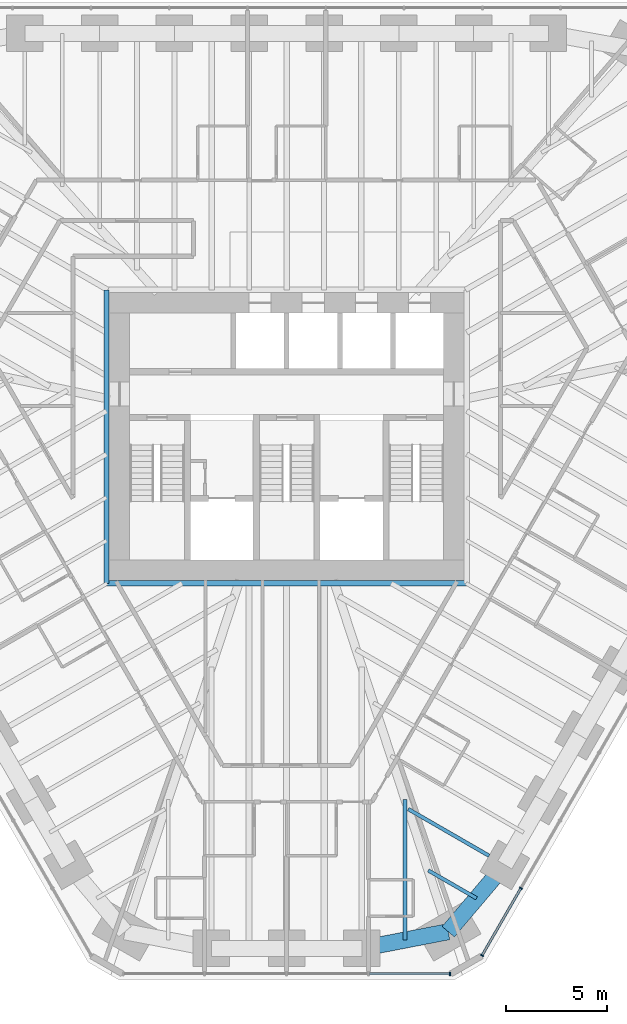
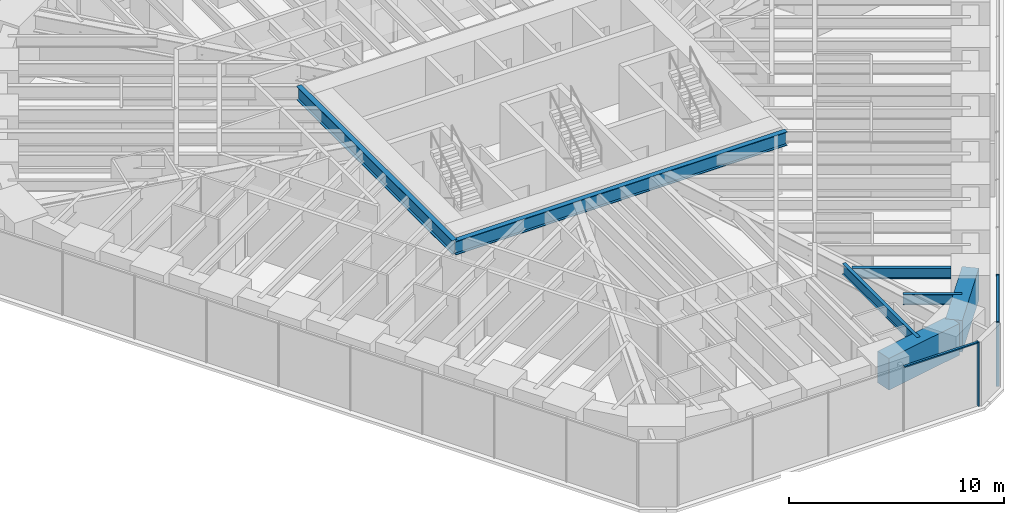
# One storey, part 4 of 16: 7 beams, 5 members, 2 elements without a shape of their own.
"""IFC4 building model written with IfcOpenShell, lengths in metres."""

import ifcopenshell
import ifcopenshell.guid

model = None  # the IFC model being written
_history = None  # IfcOwnerHistory: only IFC2X3 demands one
_inside = {}  # id of a spatial element -> (the spatial element, [elements in it])
_under = {}  # id of a project, library or spatial element -> (it, [spatial elements below it])
_declared = {}  # id of a project -> (the project, [libraries it declares])
_typed = {}  # id of a type object -> (the type object, [elements of that type])
_made_of = {}  # id of a material, layer set ... -> (it, [elements and type objects made of it])


def new_model(schema):
    """Start an empty IFC model of exactly this schema.

    Asked for "IFC4X3", IfcOpenShell would pick the latest addendum, in which some entities
    have other attributes; the version numbers below select the first issue.
    IFC2X3 requires an IfcOwnerHistory on every rooted entity: one is made here for all.
    """
    global model, _history
    if schema == "IFC4X3":
        model = ifcopenshell.file(schema_version=(4, 3, 0, 0))
    else:
        model = ifcopenshell.file(schema=schema)
    _inside.clear()
    _under.clear()
    _declared.clear()
    _typed.clear()
    _made_of.clear()
    _history = None
    if model.schema == "IFC2X3":
        org = make("IfcOrganization", Name="unknown")
        user = make(
            "IfcPersonAndOrganization",
            ThePerson=make("IfcPerson", FamilyName="unknown"),
            TheOrganization=org,
        )
        app = make(
            "IfcApplication",
            ApplicationDeveloper=org,
            Version="unknown",
            ApplicationFullName="unknown",
            ApplicationIdentifier="unknown",
        )
        _history = make(
            "IfcOwnerHistory",
            OwningUser=user,
            OwningApplication=app,
            ChangeAction="ADDED",
            CreationDate=0,
        )
    return model


def make(cls, **values):
    """One entity of the class cls with the attributes given. An attribute that is None is left unset."""
    return model.create_entity(
        cls, **{name: value for name, value in values.items() if value is not None}
    )


def rooted(cls, **values):
    """An entity with a GlobalId (a new one), such as an element, a storey or a relation."""
    return make(cls, GlobalId=ifcopenshell.guid.new(), OwnerHistory=_history, **values)


def si_unit(unit_type, name, prefix=None):
    """IfcSIUnit, for example si_unit("LENGTHUNIT", "METRE", prefix="MILLI")."""
    return make("IfcSIUnit", UnitType=unit_type, Prefix=prefix, Name=name)


def assignment(units):
    """IfcUnitAssignment: the units of a project."""
    return None if units is None else make("IfcUnitAssignment", Units=units)


def point(xyz):
    """IfcCartesianPoint."""
    return None if xyz is None else make("IfcCartesianPoint", Coordinates=xyz)


def direction(xyz):
    """IfcDirection."""
    return None if xyz is None else make("IfcDirection", DirectionRatios=xyz)


def frame(location, z_axis=None, x_axis=None):
    """IfcAxis2Placement3D, a coordinate frame: its origin and axes. An axis left out is left unset."""
    return make(
        "IfcAxis2Placement3D",
        Location=point(location),
        Axis=direction(z_axis),
        RefDirection=direction(x_axis),
    )


def frame_2d(location, x_axis=None):
    """IfcAxis2Placement2D, a coordinate frame in the plane: its origin and x axis."""
    return make(
        "IfcAxis2Placement2D", Location=point(location), RefDirection=direction(x_axis)
    )


def origin():
    """The frame at (0, 0, 0) with its axes left unset."""
    return frame((0.0, 0.0, 0.0))


def origin_2d():
    """The frame at (0, 0) in the plane with its x axis left unset."""
    return frame_2d((0.0, 0.0))


def place(relative_to, where):
    """IfcLocalPlacement: puts the frame where relative to a parent placement (None: the world)."""
    return make(
        "IfcLocalPlacement", PlacementRelTo=relative_to, RelativePlacement=where
    )


def context(
    kind, dimensions, precision=None, world=None, true_north=None, identifier=None
):
    """IfcGeometricRepresentationContext, for example the 3D "Model" context."""
    return make(
        "IfcGeometricRepresentationContext",
        ContextIdentifier=identifier,
        ContextType=kind,
        CoordinateSpaceDimension=dimensions,
        Precision=precision,
        WorldCoordinateSystem=world,
        TrueNorth=true_north,
    )


def subcontext(parent, identifier, kind, view, scale=None):
    """IfcGeometricRepresentationSubContext, for example "Body" below "Model"."""
    return make(
        "IfcGeometricRepresentationSubContext",
        ContextIdentifier=identifier,
        ContextType=kind,
        ParentContext=parent,
        TargetScale=scale,
        TargetView=view,
    )


def project(units=None, contexts=None):
    """IfcProject with its units and contexts."""
    return rooted(
        "IfcProject",
        Name="project",
        RepresentationContexts=contexts,
        UnitsInContext=assignment(units),
    )


def spatial(cls, under=None, at=None, **own):
    """A site, building, storey or space (cls), placed at a placement, below another one or the project."""
    s = rooted(cls, ObjectPlacement=at, **own)
    if under is not None:
        _under.setdefault(under.id(), (under, []))[1].append(s)
    return s


def profile(cls, at=None, kind="AREA", **sizes):
    """A parametric profile (cls). Its sizes go by their IFC names, for example OverallWidth=200.0."""
    return make(cls, ProfileType=kind, Position=at, **sizes)


def rectangle(**sizes):
    """IfcRectangleProfileDef."""
    return profile("IfcRectangleProfileDef", **sizes)


def i_section(**sizes):
    """IfcIShapeProfileDef."""
    return profile("IfcIShapeProfileDef", **sizes)


def extrude(swept, where, along, depth):
    """IfcExtrudedAreaSolid: the profile swept, set in the frame where, extruded along a direction by depth."""
    return make(
        "IfcExtrudedAreaSolid",
        SweptArea=swept,
        Position=where,
        ExtrudedDirection=direction(along),
        Depth=depth,
    )


def shape(context_of_items, identifier, shape_type, items):
    """IfcShapeRepresentation: the items that make up one representation, for example the "Body"."""
    return make(
        "IfcShapeRepresentation",
        ContextOfItems=context_of_items,
        RepresentationIdentifier=identifier,
        RepresentationType=shape_type,
        Items=items,
    )


def material(Name=None, Category=None):
    """IfcMaterial."""
    return make("IfcMaterial", Name=Name, Category=Category)


def material_profile(
    of_material, cross_section, Name=None, Category=None, Priority=None
):
    """IfcMaterialProfile: a cross section and its material."""
    return make(
        "IfcMaterialProfile",
        Name=Name,
        Material=of_material,
        Profile=cross_section,
        Priority=Priority,
        Category=Category,
    )


def profile_set(profiles, Name=None, composite=None):
    """IfcMaterialProfileSet."""
    return make(
        "IfcMaterialProfileSet",
        Name=Name,
        MaterialProfiles=profiles,
        CompositeProfile=composite,
    )


def made_of(thing, what):
    """Note that an element or type object is made of a material, layer set ...; save() writes the relation."""
    if what is not None:
        _made_of.setdefault(what.id(), (what, []))[1].append(thing)
    return thing


def type_object(cls, material=None, **own):
    """A type object (cls), such as IfcWallType, which elements share."""
    return made_of(rooted(cls, **own), material)


def element(
    cls,
    number,
    at=None,
    inside=None,
    cuts=None,
    type_object=None,
    material=None,
    context=None,
    identifier="Body",
    shape_type=None,
    held_by="IfcProductDefinitionShape",
    body=None,
    shapes=None,
    **own,
):
    """One element of the class cls, such as IfcWall. Its Tag is "e" and its number.

    at: its placement. inside: the storey or other place that contains it. cuts: it is an
    opening in that element (IfcRelVoidsElement). A single representation is given by context,
    identifier, shape_type and body (its items); several are given by shapes. held_by: the class
    of the entity that holds the representations. save() writes the other relations.
    """
    e = rooted(cls, Tag="e%d" % number, ObjectPlacement=at, **own)
    if body is not None:
        shapes = [shape(context, identifier, shape_type, body)]
    if shapes is not None:
        e.Representation = make(held_by, Representations=shapes)
    if inside is not None:
        _inside.setdefault(inside.id(), (inside, []))[1].append(e)
    if cuts is not None:
        rooted(
            "IfcRelVoidsElement", RelatingBuildingElement=cuts, RelatedOpeningElement=e
        )
    if type_object is not None:
        _typed.setdefault(type_object.id(), (type_object, []))[1].append(e)
    return made_of(e, material)


def aggregate(whole, parts):
    """IfcRelAggregates: a whole, such as a stair, and the parts it consists of."""
    return rooted("IfcRelAggregates", RelatingObject=whole, RelatedObjects=parts)


def save(model, path):
    """Write the relations noted so far, then the file.

    IfcRelAggregates (storeys below a building ...), IfcRelContainedInSpatialStructure (elements
    in a storey), IfcRelDefinesByType, IfcRelAssociatesMaterial and IfcRelDeclares: one each for
    every whole, place, type object, material and project.
    """
    for whole, parts in _under.values():
        aggregate(whole, parts)
    for where, things in _inside.values():
        rooted(
            "IfcRelContainedInSpatialStructure",
            RelatedElements=things,
            RelatingStructure=where,
        )
    for kind, things in _typed.values():
        rooted("IfcRelDefinesByType", RelatedObjects=things, RelatingType=kind)
    for what, things in _made_of.values():
        rooted("IfcRelAssociatesMaterial", RelatedObjects=things, RelatingMaterial=what)
    for by, libraries in _declared.values():
        rooted("IfcRelDeclares", RelatingContext=by, RelatedDefinitions=libraries)
    model.write(path)


model = new_model("IFC4")

# Units and contexts
model_context = context("Model", 3, precision=1e-05, world=origin(), true_north=direction((0.0, 1.0)))
body_context = subcontext(model_context, "Body", "Model", "MODEL_VIEW")
ifc_project = project(units=[si_unit("LENGTHUNIT", "METRE"), si_unit("AREAUNIT", "SQUARE_METRE"), si_unit("VOLUMEUNIT", "CUBIC_METRE"), si_unit("PLANEANGLEUNIT", "RADIAN"), si_unit("MASSUNIT", "GRAM", prefix="KILO")], contexts=[model_context])

# Site, building, storey
site_placement = place(None, origin())
site = spatial("IfcSite", under=ifc_project, at=site_placement, CompositionType="ELEMENT")
building_placement = place(site_placement, origin())
building = spatial("IfcBuilding", under=site, at=building_placement, Name="Sandreach Pilgrim Tower", CompositionType="ELEMENT")
storey_placement = place(building_placement, frame((0.0, 0.0, 183.199951171875)))
storey = spatial("IfcBuildingStorey", under=building, at=storey_placement, Name="L45", CompositionType="ELEMENT", Elevation=183.199951171875)

# Curtain wall, members
ifc_material_1 = material(Name="Aluminium framed curtain wall", Category="aluminium")
curtain_wall_type = type_object("IfcCurtainWallType", Name="Upper hotel tower curtain wall", PredefinedType="NOTDEFINED", material=ifc_material_1)
curtain_wall_1_placement = place(storey_placement, origin())
curtain_wall_1 = element("IfcCurtainWall", 1, at=curtain_wall_1_placement, inside=storey, type_object=curtain_wall_type, Name="CW-3 L45 SE", PredefinedType="NOTDEFINED")
ifc_material_2 = material(Name="Aluminium extrusion", Category="aluminium")
ifc_material_profile_1 = material_profile(ifc_material_2, rectangle(XDim=0.06494140625, YDim=0.159912109375, at=origin_2d()), Name="CW-3M 65X160")
ifc_profile_set_1 = profile_set([ifc_material_profile_1], Name="Aluminium extrusion")
member_type_1 = type_object("IfcMemberType", Name="CW-3 mullion", PredefinedType="MULLION", material=ifc_profile_set_1)
member_1_placement = place(storey_placement, frame((11.5625, -22.29345703125, 0.0), z_axis=(0.0, 0.0, 1.0), x_axis=(-0.5, -0.866025403784, 0.0)))
member_1 = element("IfcMember", 2, at=member_1_placement, type_object=member_type_1, Name="CW-3 mullion 9", PredefinedType="MULLION", context=body_context, shape_type="SweptSolid", body=[
    extrude(rectangle(XDim=0.06494140625, YDim=0.159912109375, at=origin_2d()), origin(), (0.0, 0.0, 1.0), 3.64013671875),
])
member_2_placement = place(storey_placement, frame((9.646484375, -25.612060546875, 0.0), z_axis=(0.0, 0.0, 1.0), x_axis=(-0.5, -0.866025403784, 0.0)))
member_2 = element("IfcMember", 3, at=member_2_placement, type_object=member_type_1, Name="CW-3 mullion 10", PredefinedType="MULLION", context=body_context, shape_type="SweptSolid", body=[
    extrude(rectangle(XDim=0.06494140625, YDim=0.159912109375, at=origin_2d()), origin(), (0.0, 0.0, 1.0), 3.64013671875),
])

# Curtain wall, member
curtain_wall_2_placement = place(storey_placement, origin())
curtain_wall_2 = element("IfcCurtainWall", 4, at=curtain_wall_2_placement, inside=storey, type_object=curtain_wall_type, Name="CW-3 L45 S", PredefinedType="NOTDEFINED")
member_3_placement = place(storey_placement, frame((8.06494140625, -26.525146484375, 0.0), z_axis=(0.0, 0.0, 1.0), x_axis=(-1.0, 0.0, 0.0)))
member_3 = element("IfcMember", 5, at=member_3_placement, type_object=member_type_1, Name="CW-3 mullion 1", PredefinedType="MULLION", context=body_context, shape_type="SweptSolid", body=[
    extrude(rectangle(XDim=0.06494140625, YDim=0.159912109375, at=origin_2d()), origin(), (0.0, 0.0, 1.0), 3.64013671875),
])

# Member
ifc_material_3 = material(Name="Aluminium extrusion", Category="aluminium")
ifc_material_profile_2 = material_profile(ifc_material_3, rectangle(XDim=0.1201171875, YDim=0.070068359375, at=origin_2d()), Name="CW-3T 120X70")
ifc_profile_set_2 = profile_set([ifc_material_profile_2], Name="Aluminium extrusion")
member_type_2 = type_object("IfcMemberType", Name="CW-3 transom", PredefinedType="USERDEFINED", material=ifc_profile_set_2)
member_4_placement = place(storey_placement, frame((11.546142578125, -22.321533203125, 3.60498046875), z_axis=(-0.499973055223, -0.8660409598, 0.0), x_axis=(0.8660409598, -0.499973055223, 0.0)))
member_4 = element("IfcMember", 6, at=member_4_placement, type_object=member_type_2, Name="CW-3 head transom 9", ObjectType="TRANSOM", PredefinedType="USERDEFINED", context=body_context, shape_type="SweptSolid", body=[
    extrude(rectangle(XDim=0.1201171875, YDim=0.070068359375, at=origin_2d()), origin(), (0.0, 0.0, 1.0), 3.766845703125),
])

aggregate(curtain_wall_1, [member_1, member_2, member_4])

member_5_placement = place(storey_placement, frame((8.032470703125, -26.525146484375, 3.60498046875), z_axis=(-1.0, 0.0, 0.0), x_axis=(0.0, -1.0, 0.0)))
member_5 = element("IfcMember", 7, at=member_5_placement, type_object=member_type_2, Name="CW-3 head transom 1", ObjectType="TRANSOM", PredefinedType="USERDEFINED", context=body_context, shape_type="SweptSolid", body=[
    extrude(rectangle(XDim=0.1201171875, YDim=0.070068359375, at=origin_2d()), origin(), (0.0, 0.0, 1.0), 3.951171875),
])

aggregate(curtain_wall_2, [member_3, member_5])

# Beams
ifc_material_4 = material(Name="Steel ASTM A992 Grade 50", Category="steel")
ifc_material_profile_3 = material_profile(ifc_material_4, i_section(OverallWidth=0.2666015625, OverallDepth=0.77978515625, WebThickness=0.0166015625, FlangeThickness=0.030029296875, at=origin_2d()), Name="W30X148")
ifc_profile_set_3 = profile_set([ifc_material_profile_3], Name="Steel ASTM A992 Grade 50")
beam_type_1 = type_object("IfcBeamType", Name="Core edge beam W30X148", PredefinedType="BEAM", material=ifc_profile_set_3)
beam_1_placement = place(storey_placement, frame((8.893310546875, -7.243408203125, 3.250244140625), z_axis=(-1.0, 0.0, 0.0), x_axis=(0.0, -1.0, 0.0)))
element("IfcBeam", 8, at=beam_1_placement, inside=storey, type_object=beam_type_1, Name="BM L45 CES", PredefinedType="BEAM", context=body_context, shape_type="SweptSolid", body=[
    extrude(i_section(OverallWidth=0.2666015625, OverallDepth=0.77978515625, WebThickness=0.0166015625, FlangeThickness=0.030029296875, at=origin_2d()), origin(), (0.0, 0.0, 1.0), 17.78662109375),
])
beam_2_placement = place(storey_placement, frame((-8.893310546875, -7.243408203125, 3.250244140625), z_axis=(0.0, 1.0, 0.0), x_axis=(-1.0, 0.0, 0.0)))
element("IfcBeam", 9, at=beam_2_placement, inside=storey, type_object=beam_type_1, Name="BM L45 CEW", PredefinedType="BEAM", context=body_context, shape_type="SweptSolid", body=[
    extrude(i_section(OverallWidth=0.2666015625, OverallDepth=0.77978515625, WebThickness=0.0166015625, FlangeThickness=0.030029296875, at=origin_2d()), origin(), (0.0, 0.0, 1.0), 14.48681640625),
])
ifc_material_5 = material(Name="Steel ASTM A992 Grade 50", Category="steel")
ifc_material_profile_4 = material_profile(ifc_material_5, i_section(OverallWidth=0.1787109375, OverallDepth=0.60205078125, WebThickness=0.010986328125, FlangeThickness=0.014892578125, at=origin_2d()), Name="W24X62")
ifc_profile_set_4 = profile_set([ifc_material_profile_4], Name="Steel ASTM A992 Grade 50")
beam_type_2 = type_object("IfcBeamType", Name="Floor beam W24X62", PredefinedType="BEAM", material=ifc_profile_set_4)
beam_3_placement = place(storey_placement, frame((9.99267578125, -20.6923828125, 3.339111328125), z_axis=(-0.866030286288, 0.49999154316, 0.0), x_axis=(-0.49999154316, -0.866030286288, 0.0)))
element("IfcBeam", 10, at=beam_3_placement, inside=storey, type_object=beam_type_2, Name="BM L45 F21", PredefinedType="BEAM", context=body_context, shape_type="SweptSolid", body=[
    extrude(i_section(OverallWidth=0.1787109375, OverallDepth=0.60205078125, WebThickness=0.010986328125, FlangeThickness=0.014892578125, at=origin_2d()), origin(), (0.0, 0.0, 1.0), 4.607421875),
])
beam_4_placement = place(storey_placement, frame((9.375244140625, -22.7919921875, 3.339111328125), z_axis=(-0.866046803606, 0.49996293259, 0.0), x_axis=(-0.49996293259, -0.866046803606, 0.0)))
element("IfcBeam", 11, at=beam_4_placement, inside=storey, type_object=beam_type_2, Name="BM L45 FM21", PredefinedType="BEAM", context=body_context, shape_type="SweptSolid", body=[
    extrude(i_section(OverallWidth=0.1787109375, OverallDepth=0.60205078125, WebThickness=0.010986328125, FlangeThickness=0.014892578125, at=origin_2d()), origin(), (0.0, 0.0, 1.0), 2.753662109375),
])
beam_5_placement = place(storey_placement, frame((5.844482421875, -24.853515625, 3.339111328125), z_axis=(0.0, 1.0, 0.0), x_axis=(-1.0, 0.0, 0.0)))
element("IfcBeam", 12, at=beam_5_placement, inside=storey, type_object=beam_type_2, Name="BM L45 FM22", PredefinedType="BEAM", context=body_context, shape_type="SweptSolid", body=[
    extrude(i_section(OverallWidth=0.1787109375, OverallDepth=0.60205078125, WebThickness=0.010986328125, FlangeThickness=0.014892578125, at=origin_2d()), origin(), (0.0, 0.0, 1.0), 6.94921875),
])
ifc_material_6 = material(Name="Concrete 10000 psi", Category="concrete")
ifc_material_profile_5 = material_profile(ifc_material_6, rectangle(XDim=0.800048828125, YDim=1.800048828125, at=origin_2d()), Name="RC800X1800")
ifc_profile_set_5 = profile_set([ifc_material_profile_5], Name="Concrete 10000 psi")
beam_type_3 = type_object("IfcBeamType", Name="Spandrel beam RC800X1800", PredefinedType="SPANDREL", material=ifc_profile_set_5)
beam_6_placement = place(storey_placement, frame((10.772216796875, -21.142333984375, 2.739990234375), z_axis=(-0.646180160755, -0.76318490541, 0.0), x_axis=(0.76318490541, -0.646180160755, 0.0)))
element("IfcBeam", 13, at=beam_6_placement, inside=storey, type_object=beam_type_3, Name="BM L45 SP21", PredefinedType="SPANDREL", context=body_context, shape_type="SweptSolid", body=[
    extrude(rectangle(XDim=0.800048828125, YDim=1.800048828125, at=origin_2d()), origin(), (0.0, 0.0, 1.0), 4.323486328125),
])
beam_7_placement = place(storey_placement, frame((7.978515625, -24.44189453125, 2.739990234375), z_axis=(-0.981901333807, -0.18939316426, 0.0), x_axis=(0.18939316426, -0.981901333807, 0.0)))
element("IfcBeam", 14, at=beam_7_placement, inside=storey, type_object=beam_type_3, Name="BM L45 SP22", PredefinedType="SPANDREL", context=body_context, shape_type="SweptSolid", body=[
    extrude(rectangle(XDim=0.800048828125, YDim=1.800048828125, at=origin_2d()), origin(), (0.0, 0.0, 1.0), 4.3466796875),
])

save(model, "model.ifc")
